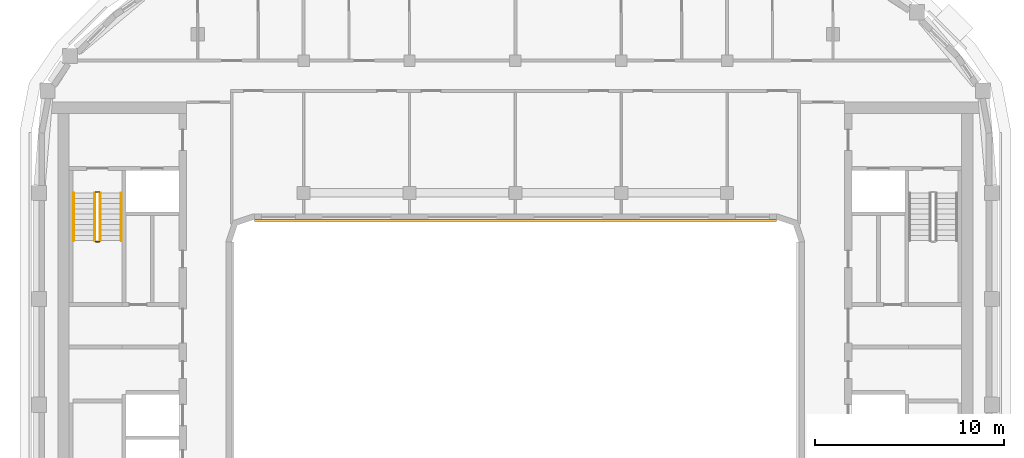
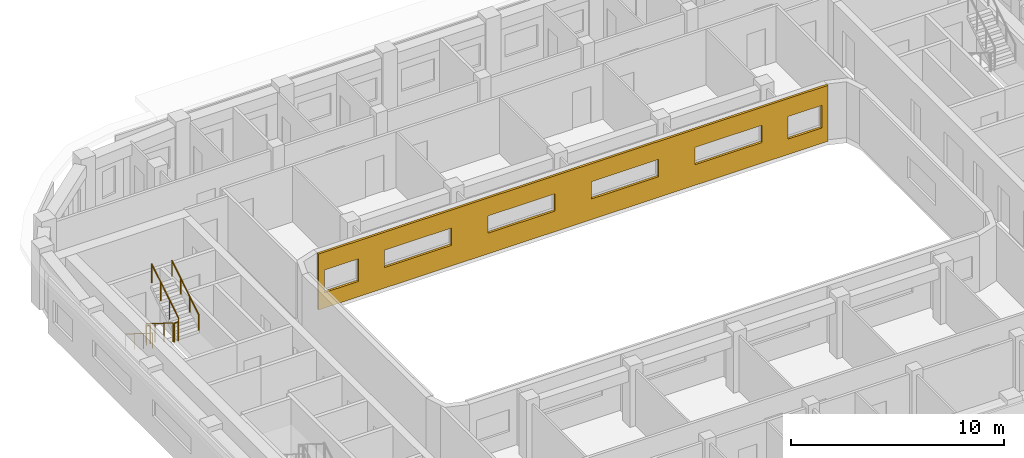
# One storey, part 11 of 15: 6 railings, 1 covering.
"""IFC4 building model written with IfcOpenShell, lengths in metres."""

from ifc_helpers import new_model, si_unit, direction, frame, origin, origin_2d, place, context, subcontext, project, spatial, polyline, circle, outline, extrude, material, layer, layer_set, type_object, element, save


model = new_model("IFC4")

# Units and contexts
model_context = context("Model", 3, precision=1e-05, world=origin(), true_north=direction((0.0, 1.0)))
body_context = subcontext(model_context, "Body", "Model", "MODEL_VIEW")
ifc_project = project(units=[si_unit("LENGTHUNIT", "METRE"), si_unit("AREAUNIT", "SQUARE_METRE"), si_unit("VOLUMEUNIT", "CUBIC_METRE"), si_unit("PLANEANGLEUNIT", "RADIAN"), si_unit("MASSUNIT", "GRAM", prefix="KILO")], contexts=[model_context])

# Site, building, storey
site_placement = place(None, origin())
site = spatial("IfcSite", under=ifc_project, at=site_placement, CompositionType="ELEMENT")
building_placement = place(site_placement, origin())
building = spatial("IfcBuilding", under=site, at=building_placement, Name="Kiln Ring Residences", CompositionType="ELEMENT")
storey_placement = place(building_placement, frame((0.0, 0.0, 248.699951171875)))
storey = spatial("IfcBuildingStorey", under=building, at=storey_placement, Name="L64", CompositionType="ELEMENT", Elevation=248.699951171875)

# Railings
ifc_material_1 = material(Name="Stainless steel", Category="steel")
railing_type_1 = type_object("IfcRailingType", Name="CORE-STAIR-GUARD", PredefinedType="GUARDRAIL", material=ifc_material_1)
railing_1_placement = place(storey_placement, frame((-22.25, 8.39990234375, 0.175048828125)))
element("IfcRailing", 1, at=railing_1_placement, inside=storey, type_object=railing_type_1, Name="L64 W-STN stair guard 1", PredefinedType="GUARDRAIL", context=body_context, shape_type="SweptSolid", body=[
    extrude(circle(Radius=0.02392578125, at=origin_2d()), frame((0.0, 0.0, 1.076171875), z_axis=(0.0, -0.848007534815, 0.529984170421), x_axis=(1.0, 0.0, 0.0)), (0.0, 0.0, 1.0), 2.9716796875),
    extrude(circle(Radius=0.02099609375, at=origin_2d()), origin(), (0.0, 0.0, 1.0), 1.052001953125),
    extrude(circle(Radius=0.02099609375, at=origin_2d()), frame((0.0, -0.840087890625, 0.52490234375)), (0.0, 0.0, 1.0), 1.052001953125),
    extrude(circle(Radius=0.02099609375, at=origin_2d()), frame((0.0, -1.679931640625, 1.050048828125)), (0.0, 0.0, 1.0), 1.052001953125),
    extrude(circle(Radius=0.02099609375, at=origin_2d()), frame((0.0, -2.52001953125, 1.574951171875)), (0.0, 0.0, 1.0), 1.052001953125),
])
railing_2_placement = place(storey_placement, frame((-22.199951171875, 5.830078125, 1.75)))
element("IfcRailing", 2, at=railing_2_placement, inside=storey, type_object=railing_type_1, Name="L64 W-STN stair guard 2", PredefinedType="GUARDRAIL", context=body_context, shape_type="SweptSolid", body=[
    extrude(circle(Radius=0.02392578125, at=origin_2d()), frame((0.0, 0.0, 1.076171875), z_axis=(1.0, 0.0, 0.0), x_axis=(0.0, 1.0, 0.0)), (0.0, 0.0, 1.0), 0.199951171875),
    extrude(circle(Radius=0.02099609375, at=origin_2d()), origin(), (0.0, 0.0, 1.0), 1.052001953125),
    extrude(circle(Radius=0.02099609375, at=origin_2d()), frame((0.199951171875, 0.0, 0.0)), (0.0, 0.0, 1.0), 1.052001953125),
])
railing_3_placement = place(storey_placement, frame((-21.949951171875, 5.8798828125, 1.925048828125)))
element("IfcRailing", 3, at=railing_3_placement, inside=storey, type_object=railing_type_1, Name="L64 W-STN stair guard 3", PredefinedType="GUARDRAIL", context=body_context, shape_type="SweptSolid", body=[
    extrude(circle(Radius=0.02392578125, at=origin_2d()), frame((0.0, 0.0, 1.076171875), z_axis=(0.0, 0.848007534815, 0.529984170421), x_axis=(-1.0, 0.0, 0.0)), (0.0, 0.0, 1.0), 2.9716796875),
    extrude(circle(Radius=0.02099609375, at=origin_2d()), origin(), (0.0, 0.0, 1.0), 1.052001953125),
    extrude(circle(Radius=0.02099609375, at=origin_2d()), frame((0.0, 0.840087890625, 0.52490234375)), (0.0, 0.0, 1.0), 1.052001953125),
    extrude(circle(Radius=0.02099609375, at=origin_2d()), frame((0.0, 1.679931640625, 1.050048828125)), (0.0, 0.0, 1.0), 1.052001953125),
    extrude(circle(Radius=0.02099609375, at=origin_2d()), frame((0.0, 2.52001953125, 1.574951171875)), (0.0, 0.0, 1.0), 1.052001953125),
])
railing_4_placement = place(storey_placement, frame((-22.199951171875, 8.449951171875, 0.0)))
element("IfcRailing", 4, at=railing_4_placement, inside=storey, type_object=railing_type_1, Name="L64 W-STN stair guard 4", PredefinedType="GUARDRAIL", context=body_context, shape_type="SweptSolid", body=[
    extrude(circle(Radius=0.02392578125, at=origin_2d()), frame((0.0, 0.0, 1.076171875), z_axis=(1.0, 0.0, 0.0), x_axis=(0.0, 1.0, 0.0)), (0.0, 0.0, 1.0), 0.199951171875),
    extrude(circle(Radius=0.02099609375, at=origin_2d()), origin(), (0.0, 0.0, 1.0), 1.052001953125),
    extrude(circle(Radius=0.02099609375, at=origin_2d()), frame((0.199951171875, 0.0, 0.0)), (0.0, 0.0, 1.0), 1.052001953125),
])
ifc_material_2 = material(Name="Stainless steel", Category="steel")
railing_type_2 = type_object("IfcRailingType", Name="CORE-STAIR-HANDRAIL", PredefinedType="HANDRAIL", material=ifc_material_2)
railing_5_placement = place(storey_placement, frame((-23.35009765625, 8.39990234375, 0.175048828125)))
element("IfcRailing", 5, at=railing_5_placement, inside=storey, type_object=railing_type_2, Name="L64 W-STN stair handrail 1", PredefinedType="HANDRAIL", context=body_context, shape_type="SweptSolid", body=[
    extrude(circle(Radius=0.02392578125, at=origin_2d()), frame((0.0, 0.0, 0.8759765625), z_axis=(0.0, -0.848007534815, 0.529984170421), x_axis=(1.0, 0.0, 0.0)), (0.0, 0.0, 1.0), 2.9716796875),
    extrude(circle(Radius=0.02099609375, at=origin_2d()), origin(), (0.0, 0.0, 1.0), 0.851806640625),
    extrude(circle(Radius=0.02099609375, at=origin_2d()), frame((0.0, -0.840087890625, 0.52490234375)), (0.0, 0.0, 1.0), 0.851806640625),
    extrude(circle(Radius=0.02099609375, at=origin_2d()), frame((0.0, -1.679931640625, 1.050048828125)), (0.0, 0.0, 1.0), 0.851806640625),
    extrude(circle(Radius=0.02099609375, at=origin_2d()), frame((0.0, -2.52001953125, 1.574951171875)), (0.0, 0.0, 1.0), 0.851806640625),
])
railing_6_placement = place(storey_placement, frame((-20.85009765625, 5.8798828125, 1.925048828125)))
element("IfcRailing", 6, at=railing_6_placement, inside=storey, type_object=railing_type_2, Name="L64 W-STN stair handrail 2", PredefinedType="HANDRAIL", context=body_context, shape_type="SweptSolid", body=[
    extrude(circle(Radius=0.02392578125, at=origin_2d()), frame((0.0, 0.0, 0.8759765625), z_axis=(0.0, 0.848007534815, 0.529984170421), x_axis=(-1.0, 0.0, 0.0)), (0.0, 0.0, 1.0), 2.9716796875),
    extrude(circle(Radius=0.02099609375, at=origin_2d()), origin(), (0.0, 0.0, 1.0), 0.851806640625),
    extrude(circle(Radius=0.02099609375, at=origin_2d()), frame((0.0, 0.840087890625, 0.52490234375)), (0.0, 0.0, 1.0), 0.851806640625),
    extrude(circle(Radius=0.02099609375, at=origin_2d()), frame((0.0, 1.679931640625, 1.050048828125)), (0.0, 0.0, 1.0), 0.851806640625),
    extrude(circle(Radius=0.02099609375, at=origin_2d()), frame((0.0, 2.52001953125, 1.574951171875)), (0.0, 0.0, 1.0), 0.851806640625),
])

# Covering
ifc_material_3 = material(Name="Brick masonry, dark clay brick", Category="masonry")
ifc_layer = layer(ifc_material_3, 0.1201171875)
ifc_layer_set = layer_set([ifc_layer], Name="RAINSCREEN PANEL 120")
covering_type = type_object("IfcCoveringType", Name="RAINSCREEN PANEL 120", PredefinedType="CLADDING", material=ifc_layer_set)
covering_placement = place(storey_placement, frame((-13.800048828125, 6.93994140625, 0.0), z_axis=(0.0, 0.0, 1.0), x_axis=(1.0, 0.0, 0.0)))
element("IfcCovering", 7, at=covering_placement, inside=storey, type_object=covering_type, Name="RAINSCREEN L64", PredefinedType="CLADDING", context=body_context, shape_type="SweptSolid", body=[
    extrude(outline(polyline([(0.0, 0.0), (27.60009765625, 0.0), (27.60009765625, 3.199951171875), (0.0, 3.199951171875), (0.0, 0.0)]), holes=[polyline([(2.1826171875, 0.880126953125), (2.1826171875, 2.170166015625), (0.342529296875, 2.170166015625), (0.342529296875, 0.880126953125), (2.1826171875, 0.880126953125)]), polyline([(25.41748046875, 0.880126953125), (27.257568359375, 0.880126953125), (27.257568359375, 2.170166015625), (25.41748046875, 2.170166015625), (25.41748046875, 0.880126953125)]), polyline([(3.580078125, 1.179931640625), (7.219970703125, 1.179931640625), (7.219970703125, 2.170166015625), (3.580078125, 2.170166015625), (3.580078125, 1.179931640625)]), polyline([(12.820068359375, 1.179931640625), (12.820068359375, 2.170166015625), (9.179931640625, 2.170166015625), (9.179931640625, 1.179931640625), (12.820068359375, 1.179931640625)]), polyline([(14.780029296875, 1.179931640625), (18.419921875, 1.179931640625), (18.419921875, 2.170166015625), (14.780029296875, 2.170166015625), (14.780029296875, 1.179931640625)]), polyline([(20.3798828125, 1.179931640625), (24.02001953125, 1.179931640625), (24.02001953125, 2.170166015625), (20.3798828125, 2.170166015625), (20.3798828125, 1.179931640625)])]), frame((0.0, 0.06005859375, 0.0), z_axis=(0.0, -1.0, 0.0), x_axis=(1.0, 0.0, 0.0)), (0.0, 0.0, 1.0), 0.1201171875),
])

save(model, "model.ifc")
